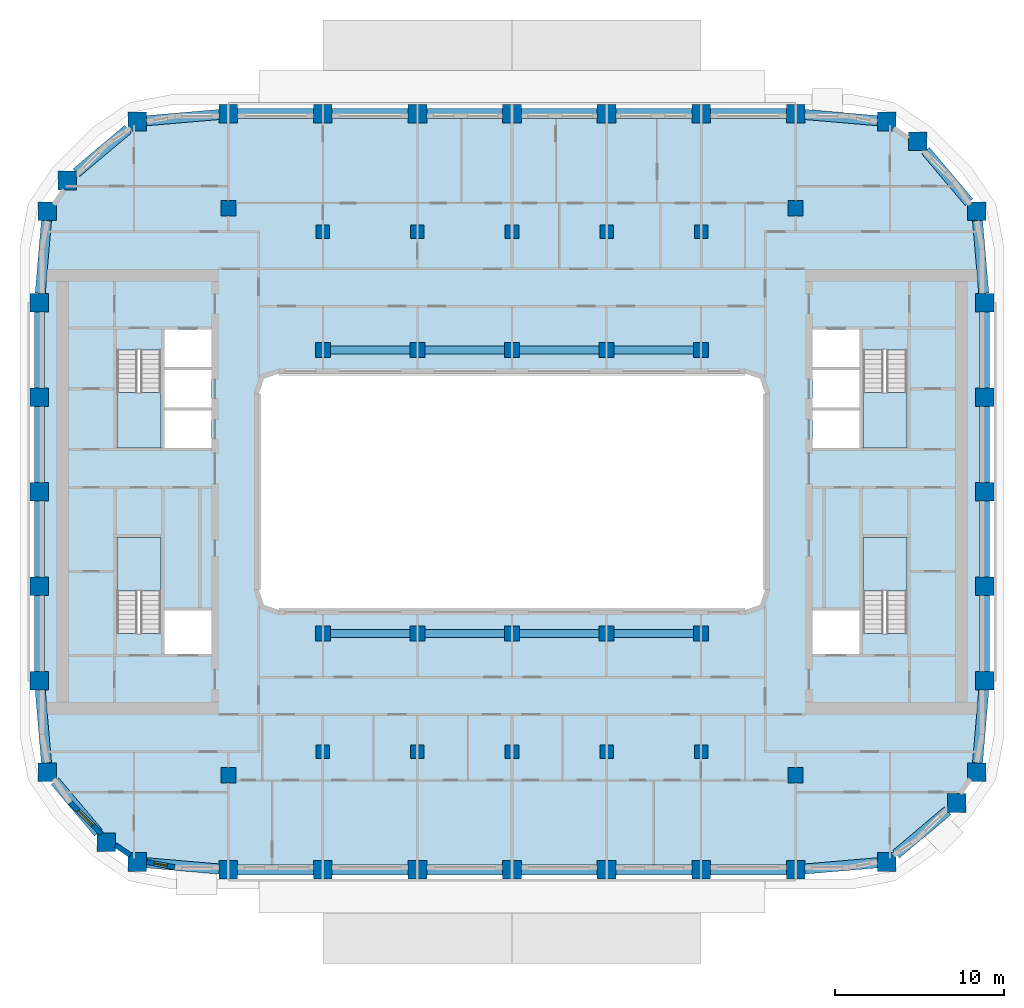
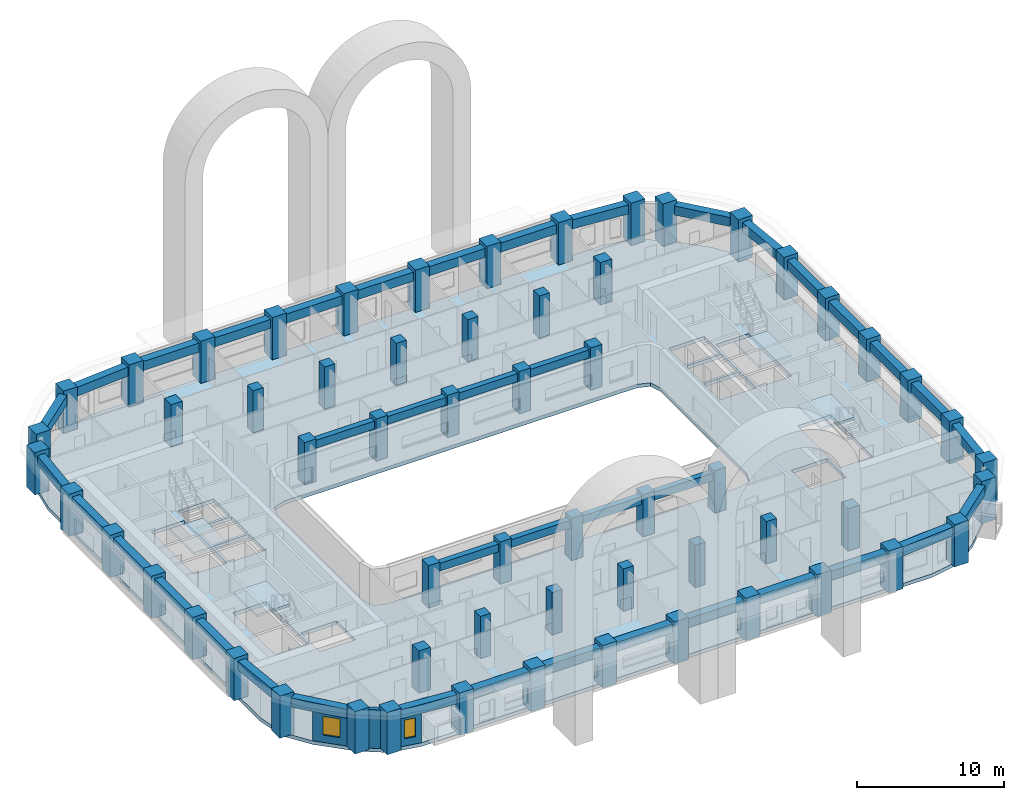
# One storey, part 1 of 18: 60 columns, 40 beams, 5 slabs, 3 walls, 2 windows, 2 openings, 4 elements without a shape of their own.
"""IFC4 building model written with IfcOpenShell, lengths in metres."""

from ifc_helpers import new_model, si_unit, direction, frame, frame_2d, origin, origin_2d, place, context, subcontext, project, spatial, polyline, rectangle, outline, extrude, material, layer, layer_set, material_profile, profile_set, type_object, element, fill, aggregate, save


model = new_model("IFC4")

# Units and contexts
model_context = context("Model", 3, precision=1e-05, world=origin(), true_north=direction((0.0, 1.0)))
body_context = subcontext(model_context, "Body", "Model", "MODEL_VIEW")
ifc_project = project(units=[si_unit("LENGTHUNIT", "METRE"), si_unit("AREAUNIT", "SQUARE_METRE"), si_unit("VOLUMEUNIT", "CUBIC_METRE"), si_unit("PLANEANGLEUNIT", "RADIAN"), si_unit("MASSUNIT", "GRAM", prefix="KILO")], contexts=[model_context])

# Site, building, storey
site_placement = place(None, origin())
site = spatial("IfcSite", under=ifc_project, at=site_placement, CompositionType="ELEMENT")
building_placement = place(site_placement, origin())
building = spatial("IfcBuilding", under=site, at=building_placement, Name="Kiln Ring Residences", CompositionType="ELEMENT")
storey_placement = place(building_placement, frame((0.0, 0.0, 157.10009765625)))
storey = spatial("IfcBuildingStorey", under=building, at=storey_placement, Name="L40", CompositionType="ELEMENT", Elevation=157.10009765625)

# Columns
ifc_material_1 = material(Name="Concrete C70/85", Category="concrete")
ifc_material_profile_1 = material_profile(ifc_material_1, rectangle(XDim=0.800048828125, YDim=0.800048828125, at=origin_2d()), Name="RC800x800")
ifc_profile_set_1 = profile_set([ifc_material_profile_1], Name="Concrete C70/85")
column_type_1 = type_object("IfcColumnType", Name="Corridor column RC800x800 C70/85", PredefinedType="COLUMN", material=ifc_profile_set_1)
for number, where, z_axis, x_axis, name in (
    (1, (-11.199951171875, 15.39990234375, 0.0), (0.0, 0.0, 1.0), (1.0, 0.0, 0.0), "Corridor column L40 1"),
    (2, (-5.60009765625, 15.39990234375, 0.0), (0.0, 0.0, 1.0), (1.0, 0.0, 0.0), "Corridor column L40 2"),
    (3, (0.0, 15.39990234375, 0.0), (0.0, 0.0, 1.0), (1.0, 0.0, 0.0), "Corridor column L40 3"),
    (4, (5.60009765625, 15.39990234375, 0.0), (0.0, 0.0, 1.0), (1.0, 0.0, 0.0), "Corridor column L40 4"),
    (5, (11.199951171875, 15.39990234375, 0.0), (0.0, 0.0, 1.0), (1.0, 0.0, 0.0), "Corridor column L40 5"),
    (6, (-11.199951171875, -15.39990234375, 0.0), (0.0, 0.0, 1.0), (1.0, 0.0, 0.0), "Corridor column L40 6"),
    (7, (-5.60009765625, -15.39990234375, 0.0), (0.0, 0.0, 1.0), (1.0, 0.0, 0.0), "Corridor column L40 7"),
    (8, (0.0, -15.39990234375, 0.0), (0.0, 0.0, 1.0), (1.0, 0.0, 0.0), "Corridor column L40 8"),
    (9, (5.60009765625, -15.39990234375, 0.0), (0.0, 0.0, 1.0), (1.0, 0.0, 0.0), "Corridor column L40 9"),
    (10, (11.199951171875, -15.39990234375, 0.0), (0.0, 0.0, 1.0), (1.0, 0.0, 0.0), "Corridor column L40 10"),
):
    element("IfcColumn", number, at=place(storey_placement, frame(where, z_axis=z_axis, x_axis=x_axis)), inside=storey, type_object=column_type_1, Name=name, PredefinedType="COLUMN", context=body_context, shape_type="SweptSolid", body=[
        extrude(rectangle(XDim=0.800048828125, YDim=0.800048828125, at=origin_2d()), origin(), (0.0, 0.0, 1.0), 3.5),
    ])
ifc_material_2 = material(Name="Concrete C70/85", Category="concrete")
ifc_material_profile_2 = material_profile(ifc_material_2, rectangle(XDim=1.10009765625, YDim=1.10009765625, at=origin_2d()), Name="RC1100x1100")
ifc_profile_set_2 = profile_set([ifc_material_profile_2], Name="Concrete C70/85")
column_type_2 = type_object("IfcColumnType", Name="Perimeter column RC1100x1100 C70/85", PredefinedType="COLUMN", material=ifc_profile_set_2)
for number, where, z_axis, x_axis, name in (
    (11, (-22.208740234375, -21.93798828125, 0.0), (0.0, 0.0, 1.0), (1.0, 0.0, 0.0), "Perimeter column L40 1"),
    (12, (-16.800048828125, -22.39990234375, 0.0), (0.0, 0.0, 1.0), (1.0, 0.0, 0.0), "Perimeter column L40 2"),
    (13, (-11.199951171875, -22.39990234375, 0.0), (0.0, 0.0, 1.0), (1.0, 0.0, 0.0), "Perimeter column L40 3"),
    (14, (-5.60009765625, -22.39990234375, 0.0), (0.0, 0.0, 1.0), (1.0, 0.0, 0.0), "Perimeter column L40 4"),
    (15, (0.0, -22.39990234375, 0.0), (0.0, 0.0, 1.0), (1.0, 0.0, 0.0), "Perimeter column L40 5"),
    (16, (5.60009765625, -22.39990234375, 0.0), (0.0, 0.0, 1.0), (1.0, 0.0, 0.0), "Perimeter column L40 6"),
    (17, (11.199951171875, -22.39990234375, 0.0), (0.0, 0.0, 1.0), (1.0, 0.0, 0.0), "Perimeter column L40 7"),
    (18, (16.800048828125, -22.39990234375, 0.0), (0.0, 0.0, 1.0), (1.0, 0.0, 0.0), "Perimeter column L40 8"),
    (19, (22.208740234375, -21.93798828125, 0.0), (0.0, 0.0, 1.0), (1.0, 0.0, 0.0), "Perimeter column L40 9"),
    (20, (26.35986328125, -18.440185546875, 0.0), (0.0, 0.0, 1.0), (1.0, 0.0, 0.0), "Perimeter column L40 10"),
    (21, (27.5380859375, -16.608642578125, 0.0), (0.0, 0.0, 1.0), (1.0, 0.0, 0.0), "Perimeter column L40 11"),
    (22, (28.0, -11.199951171875, 0.0), (0.0, 0.0, 1.0), (1.0, 0.0, 0.0), "Perimeter column L40 12"),
    (23, (28.0, -5.60009765625, 0.0), (0.0, 0.0, 1.0), (1.0, 0.0, 0.0), "Perimeter column L40 13"),
    (24, (28.0, 0.0, 0.0), (0.0, 0.0, 1.0), (1.0, 0.0, 0.0), "Perimeter column L40 14"),
    (25, (28.0, 5.60009765625, 0.0), (0.0, 0.0, 1.0), (1.0, 0.0, 0.0), "Perimeter column L40 15"),
    (26, (28.0, 11.199951171875, 0.0), (0.0, 0.0, 1.0), (1.0, 0.0, 0.0), "Perimeter column L40 16"),
    (27, (27.5380859375, 16.608642578125, 0.0), (0.0, 0.0, 1.0), (1.0, 0.0, 0.0), "Perimeter column L40 17"),
    (28, (24.040283203125, 20.759765625, 0.0), (0.0, 0.0, 1.0), (1.0, 0.0, 0.0), "Perimeter column L40 18"),
    (29, (22.208740234375, 21.93798828125, 0.0), (0.0, 0.0, 1.0), (1.0, 0.0, 0.0), "Perimeter column L40 19"),
    (30, (16.800048828125, 22.39990234375, 0.0), (0.0, 0.0, 1.0), (1.0, 0.0, 0.0), "Perimeter column L40 20"),
    (31, (11.199951171875, 22.39990234375, 0.0), (0.0, 0.0, 1.0), (1.0, 0.0, 0.0), "Perimeter column L40 21"),
    (32, (5.60009765625, 22.39990234375, 0.0), (0.0, 0.0, 1.0), (1.0, 0.0, 0.0), "Perimeter column L40 22"),
    (33, (0.0, 22.39990234375, 0.0), (0.0, 0.0, 1.0), (1.0, 0.0, 0.0), "Perimeter column L40 23"),
    (34, (-5.60009765625, 22.39990234375, 0.0), (0.0, 0.0, 1.0), (1.0, 0.0, 0.0), "Perimeter column L40 24"),
    (35, (-11.199951171875, 22.39990234375, 0.0), (0.0, 0.0, 1.0), (1.0, 0.0, 0.0), "Perimeter column L40 25"),
    (36, (-16.800048828125, 22.39990234375, 0.0), (0.0, 0.0, 1.0), (1.0, 0.0, 0.0), "Perimeter column L40 26"),
    (37, (-22.208740234375, 21.93798828125, 0.0), (0.0, 0.0, 1.0), (1.0, 0.0, 0.0), "Perimeter column L40 27"),
    (38, (-26.35986328125, 18.440185546875, 0.0), (0.0, 0.0, 1.0), (1.0, 0.0, 0.0), "Perimeter column L40 28"),
    (39, (-27.5380859375, 16.608642578125, 0.0), (0.0, 0.0, 1.0), (1.0, 0.0, 0.0), "Perimeter column L40 29"),
    (40, (-28.0, 11.199951171875, 0.0), (0.0, 0.0, 1.0), (1.0, 0.0, 0.0), "Perimeter column L40 30"),
    (41, (-28.0, 5.60009765625, 0.0), (0.0, 0.0, 1.0), (1.0, 0.0, 0.0), "Perimeter column L40 31"),
    (42, (-28.0, 0.0, 0.0), (0.0, 0.0, 1.0), (1.0, 0.0, 0.0), "Perimeter column L40 32"),
    (43, (-28.0, -5.60009765625, 0.0), (0.0, 0.0, 1.0), (1.0, 0.0, 0.0), "Perimeter column L40 33"),
    (44, (-28.0, -11.199951171875, 0.0), (0.0, 0.0, 1.0), (1.0, 0.0, 0.0), "Perimeter column L40 34"),
    (45, (-27.5380859375, -16.608642578125, 0.0), (0.0, 0.0, 1.0), (1.0, 0.0, 0.0), "Perimeter column L40 35"),
    (46, (-24.040283203125, -20.759765625, 0.0), (0.0, 0.0, 1.0), (1.0, 0.0, 0.0), "Perimeter column L40 36"),
):
    element("IfcColumn", number, at=place(storey_placement, frame(where, z_axis=z_axis, x_axis=x_axis)), inside=storey, type_object=column_type_2, Name=name, PredefinedType="COLUMN", context=body_context, shape_type="SweptSolid", body=[
        extrude(rectangle(XDim=1.10009765625, YDim=1.10009765625, at=origin_2d()), origin(), (0.0, 0.0, 1.0), 3.5),
    ])
ifc_material_3 = material(Name="Concrete C70/85", Category="concrete")
ifc_material_profile_3 = material_profile(ifc_material_3, rectangle(XDim=0.89990234375, YDim=0.89990234375, at=origin_2d()), Name="RC900x900")
ifc_profile_set_3 = profile_set([ifc_material_profile_3], Name="Concrete C70/85")
column_type_3 = type_object("IfcColumnType", Name="Ring column RC900x900 C70/85", PredefinedType="COLUMN", material=ifc_profile_set_3)
for number, where, z_axis, x_axis, name in (
    (47, (-16.800048828125, -16.800048828125, 0.0), (0.0, 0.0, 1.0), (1.0, 0.0, 0.0), "Ring column L40 1"),
    (48, (-16.800048828125, 16.800048828125, 0.0), (0.0, 0.0, 1.0), (1.0, 0.0, 0.0), "Ring column L40 2"),
    (49, (-11.199951171875, -8.39990234375, 0.0), (0.0, 0.0, 1.0), (1.0, 0.0, 0.0), "Ring column L40 3"),
    (50, (-11.199951171875, 8.39990234375, 0.0), (0.0, 0.0, 1.0), (1.0, 0.0, 0.0), "Ring column L40 4"),
    (51, (-5.60009765625, -8.39990234375, 0.0), (0.0, 0.0, 1.0), (1.0, 0.0, 0.0), "Ring column L40 5"),
    (52, (-5.60009765625, 8.39990234375, 0.0), (0.0, 0.0, 1.0), (1.0, 0.0, 0.0), "Ring column L40 6"),
    (53, (0.0, -8.39990234375, 0.0), (0.0, 0.0, 1.0), (1.0, 0.0, 0.0), "Ring column L40 7"),
    (54, (0.0, 8.39990234375, 0.0), (0.0, 0.0, 1.0), (1.0, 0.0, 0.0), "Ring column L40 8"),
    (55, (5.60009765625, -8.39990234375, 0.0), (0.0, 0.0, 1.0), (1.0, 0.0, 0.0), "Ring column L40 9"),
    (56, (5.60009765625, 8.39990234375, 0.0), (0.0, 0.0, 1.0), (1.0, 0.0, 0.0), "Ring column L40 10"),
    (57, (11.199951171875, -8.39990234375, 0.0), (0.0, 0.0, 1.0), (1.0, 0.0, 0.0), "Ring column L40 11"),
    (58, (11.199951171875, 8.39990234375, 0.0), (0.0, 0.0, 1.0), (1.0, 0.0, 0.0), "Ring column L40 12"),
    (59, (16.800048828125, -16.800048828125, 0.0), (0.0, 0.0, 1.0), (1.0, 0.0, 0.0), "Ring column L40 13"),
    (60, (16.800048828125, 16.800048828125, 0.0), (0.0, 0.0, 1.0), (1.0, 0.0, 0.0), "Ring column L40 14"),
):
    element("IfcColumn", number, at=place(storey_placement, frame(where, z_axis=z_axis, x_axis=x_axis)), inside=storey, type_object=column_type_3, Name=name, PredefinedType="COLUMN", context=body_context, shape_type="SweptSolid", body=[
        extrude(rectangle(XDim=0.89990234375, YDim=0.89990234375, at=origin_2d()), origin(), (0.0, 0.0, 1.0), 3.5),
    ])

# Beams
ifc_material_4 = material(Name="Concrete C50/60", Category="concrete")
ifc_material_profile_4 = material_profile(ifc_material_4, rectangle(XDim=0.449951171875, YDim=0.64990234375, at=origin_2d()), Name="RC450x650")
ifc_profile_set_4 = profile_set([ifc_material_profile_4], Name="Concrete C50/60")
beam_type_1 = type_object("IfcBeamType", Name="Ring beam RC450x650 C50/60", PredefinedType="BEAM", material=ifc_profile_set_4)
for number, where, z_axis, x_axis, name in (
    (61, (-10.75, -8.39990234375, 2.875), (1.0, 0.0, 0.0), (0.0, 1.0, 0.0), "Ring beam L40 1"),
    (62, (-5.14990234375, -8.39990234375, 2.875), (1.0, 0.0, 0.0), (0.0, 1.0, 0.0), "Ring beam L40 2"),
    (63, (0.449951171875, -8.39990234375, 2.875), (1.0, 0.0, 0.0), (0.0, 1.0, 0.0), "Ring beam L40 3"),
    (64, (6.050048828125, -8.39990234375, 2.875), (1.0, 0.0, 0.0), (0.0, 1.0, 0.0), "Ring beam L40 4"),
    (65, (-10.75, 8.39990234375, 2.875), (1.0, 0.0, 0.0), (0.0, 1.0, 0.0), "Ring beam L40 5"),
    (66, (-5.14990234375, 8.39990234375, 2.875), (1.0, 0.0, 0.0), (0.0, 1.0, 0.0), "Ring beam L40 6"),
    (67, (0.449951171875, 8.39990234375, 2.875), (1.0, 0.0, 0.0), (0.0, 1.0, 0.0), "Ring beam L40 7"),
    (68, (6.050048828125, 8.39990234375, 2.875), (1.0, 0.0, 0.0), (0.0, 1.0, 0.0), "Ring beam L40 8"),
):
    element("IfcBeam", number, at=place(storey_placement, frame(where, z_axis=z_axis, x_axis=x_axis)), inside=storey, type_object=beam_type_1, Name=name, PredefinedType="BEAM", context=body_context, shape_type="SweptSolid", body=[
        extrude(rectangle(XDim=0.449951171875, YDim=0.64990234375, at=origin_2d()), origin(), (0.0, 0.0, 1.0), 4.699951171875),
    ])
ifc_material_5 = material(Name="Concrete C50/60", Category="concrete")
ifc_material_profile_5 = material_profile(ifc_material_5, rectangle(XDim=0.60009765625, YDim=0.75, at=origin_2d()), Name="RC600x750")
ifc_profile_set_5 = profile_set([ifc_material_profile_5], Name="Concrete C50/60")
beam_type_2 = type_object("IfcBeamType", Name="Spandrel beam RC600x750 C50/60", PredefinedType="SPANDREL", material=ifc_profile_set_5)
beam_1_placement = place(storey_placement, frame((-21.65869140625, -21.985107421875, 2.824951171875), z_axis=(0.996373912127, -0.085082473117, 0.0), x_axis=(0.085082473117, 0.996373912127, 0.0)))
element("IfcBeam", 69, at=beam_1_placement, inside=storey, type_object=beam_type_2, Name="Spandrel beam L40 1", PredefinedType="SPANDREL", context=body_context, shape_type="SweptSolid", body=[
    extrude(rectangle(XDim=0.60009765625, YDim=0.75, at=origin_2d()), origin(), (0.0, 0.0, 1.0), 4.32421875),
])
for number, where, z_axis, x_axis, name in (
    (70, (-16.25, -22.39990234375, 2.824951171875), (1.0, 0.0, 0.0), (0.0, 1.0, 0.0), "Spandrel beam L40 2"),
    (71, (-10.64990234375, -22.39990234375, 2.824951171875), (1.0, 0.0, 0.0), (0.0, 1.0, 0.0), "Spandrel beam L40 3"),
    (72, (-5.050048828125, -22.39990234375, 2.824951171875), (1.0, 0.0, 0.0), (0.0, 1.0, 0.0), "Spandrel beam L40 4"),
    (73, (0.550048828125, -22.39990234375, 2.824951171875), (1.0, 0.0, 0.0), (0.0, 1.0, 0.0), "Spandrel beam L40 5"),
    (74, (6.14990234375, -22.39990234375, 2.824951171875), (1.0, 0.0, 0.0), (0.0, 1.0, 0.0), "Spandrel beam L40 6"),
    (75, (11.75, -22.39990234375, 2.824951171875), (1.0, 0.0, 0.0), (0.0, 1.0, 0.0), "Spandrel beam L40 7"),
):
    element("IfcBeam", number, at=place(storey_placement, frame(where, z_axis=z_axis, x_axis=x_axis)), inside=storey, type_object=beam_type_2, Name=name, PredefinedType="SPANDREL", context=body_context, shape_type="SweptSolid", body=[
        extrude(rectangle(XDim=0.60009765625, YDim=0.75, at=origin_2d()), origin(), (0.0, 0.0, 1.0), 4.5),
    ])
beam_2_placement = place(storey_placement, frame((17.35009765625, -22.35302734375, 2.824951171875), z_axis=(0.996373912127, 0.085082473117, 0.0), x_axis=(-0.085082473117, 0.996373912127, 0.0)))
element("IfcBeam", 76, at=beam_2_placement, inside=storey, type_object=beam_type_2, Name="Spandrel beam L40 8", PredefinedType="SPANDREL", context=body_context, shape_type="SweptSolid", body=[
    extrude(rectangle(XDim=0.60009765625, YDim=0.75, at=origin_2d()), origin(), (0.0, 0.0, 1.0), 4.32421875),
])
beam_3_placement = place(storey_placement, frame((22.7587890625, -21.474609375, 2.824951171875), z_axis=(0.764693765756, 0.6443938583, 0.0), x_axis=(-0.6443938583, 0.764693765756, 0.0)))
element("IfcBeam", 77, at=beam_3_placement, inside=storey, type_object=beam_type_2, Name="Spandrel beam L40 9", PredefinedType="SPANDREL", context=body_context, shape_type="SweptSolid", body=[
    extrude(rectangle(XDim=0.60009765625, YDim=0.75, at=origin_2d()), origin(), (0.0, 0.0, 1.0), 3.98974609375),
])
beam_4_placement = place(storey_placement, frame((27.5849609375, -16.05859375, 2.824951171875), z_axis=(0.085138522188, 0.996369124391, 0.0), x_axis=(-0.996369124391, 0.085138522188, 0.0)))
element("IfcBeam", 78, at=beam_4_placement, inside=storey, type_object=beam_type_2, Name="Spandrel beam L40 10", PredefinedType="SPANDREL", context=body_context, shape_type="SweptSolid", body=[
    extrude(rectangle(XDim=0.60009765625, YDim=0.75, at=origin_2d()), origin(), (0.0, 0.0, 1.0), 4.32421875),
])
for number, where, z_axis, x_axis, name in (
    (79, (28.0, -10.64990234375, 2.824951171875), (0.0, 1.0, 0.0), (-1.0, 0.0, 0.0), "Spandrel beam L40 11"),
    (80, (28.0, -5.050048828125, 2.824951171875), (0.0, 1.0, 0.0), (-1.0, 0.0, 0.0), "Spandrel beam L40 12"),
    (81, (28.0, 0.550048828125, 2.824951171875), (0.0, 1.0, 0.0), (-1.0, 0.0, 0.0), "Spandrel beam L40 13"),
    (82, (28.0, 6.14990234375, 2.824951171875), (0.0, 1.0, 0.0), (-1.0, 0.0, 0.0), "Spandrel beam L40 14"),
):
    element("IfcBeam", number, at=place(storey_placement, frame(where, z_axis=z_axis, x_axis=x_axis)), inside=storey, type_object=beam_type_2, Name=name, PredefinedType="SPANDREL", context=body_context, shape_type="SweptSolid", body=[
        extrude(rectangle(XDim=0.60009765625, YDim=0.75, at=origin_2d()), origin(), (0.0, 0.0, 1.0), 4.5),
    ])
beam_5_placement = place(storey_placement, frame((27.953125, 11.75, 2.824951171875), z_axis=(-0.085138522188, 0.996369124391, 0.0), x_axis=(-0.996369124391, -0.085138522188, 0.0)))
element("IfcBeam", 83, at=beam_5_placement, inside=storey, type_object=beam_type_2, Name="Spandrel beam L40 15", PredefinedType="SPANDREL", context=body_context, shape_type="SweptSolid", body=[
    extrude(rectangle(XDim=0.60009765625, YDim=0.75, at=origin_2d()), origin(), (0.0, 0.0, 1.0), 4.32421875),
])
beam_6_placement = place(storey_placement, frame((27.07470703125, 17.15869140625, 2.824951171875), z_axis=(-0.6443938583, 0.764693765756, 0.0), x_axis=(-0.764693765756, -0.6443938583, 0.0)))
element("IfcBeam", 84, at=beam_6_placement, inside=storey, type_object=beam_type_2, Name="Spandrel beam L40 16", PredefinedType="SPANDREL", context=body_context, shape_type="SweptSolid", body=[
    extrude(rectangle(XDim=0.60009765625, YDim=0.75, at=origin_2d()), origin(), (0.0, 0.0, 1.0), 3.98974609375),
])
beam_7_placement = place(storey_placement, frame((21.65869140625, 21.985107421875, 2.824951171875), z_axis=(-0.996373912127, 0.085082473117, 0.0), x_axis=(-0.085082473117, -0.996373912127, 0.0)))
element("IfcBeam", 85, at=beam_7_placement, inside=storey, type_object=beam_type_2, Name="Spandrel beam L40 17", PredefinedType="SPANDREL", context=body_context, shape_type="SweptSolid", body=[
    extrude(rectangle(XDim=0.60009765625, YDim=0.75, at=origin_2d()), origin(), (0.0, 0.0, 1.0), 4.32421875),
])
for number, where, z_axis, x_axis, name in (
    (86, (16.25, 22.39990234375, 2.824951171875), (-1.0, 0.0, 0.0), (0.0, -1.0, 0.0), "Spandrel beam L40 18"),
    (87, (10.64990234375, 22.39990234375, 2.824951171875), (-1.0, 0.0, 0.0), (0.0, -1.0, 0.0), "Spandrel beam L40 19"),
    (88, (5.050048828125, 22.39990234375, 2.824951171875), (-1.0, 0.0, 0.0), (0.0, -1.0, 0.0), "Spandrel beam L40 20"),
    (89, (-0.550048828125, 22.39990234375, 2.824951171875), (-1.0, 0.0, 0.0), (0.0, -1.0, 0.0), "Spandrel beam L40 21"),
    (90, (-6.14990234375, 22.39990234375, 2.824951171875), (-1.0, 0.0, 0.0), (0.0, -1.0, 0.0), "Spandrel beam L40 22"),
    (91, (-11.75, 22.39990234375, 2.824951171875), (-1.0, 0.0, 0.0), (0.0, -1.0, 0.0), "Spandrel beam L40 23"),
):
    element("IfcBeam", number, at=place(storey_placement, frame(where, z_axis=z_axis, x_axis=x_axis)), inside=storey, type_object=beam_type_2, Name=name, PredefinedType="SPANDREL", context=body_context, shape_type="SweptSolid", body=[
        extrude(rectangle(XDim=0.60009765625, YDim=0.75, at=origin_2d()), origin(), (0.0, 0.0, 1.0), 4.5),
    ])
beam_8_placement = place(storey_placement, frame((-17.35009765625, 22.35302734375, 2.824951171875), z_axis=(-0.996373912127, -0.085082473117, 0.0), x_axis=(0.085082473117, -0.996373912127, 0.0)))
element("IfcBeam", 92, at=beam_8_placement, inside=storey, type_object=beam_type_2, Name="Spandrel beam L40 24", PredefinedType="SPANDREL", context=body_context, shape_type="SweptSolid", body=[
    extrude(rectangle(XDim=0.60009765625, YDim=0.75, at=origin_2d()), origin(), (0.0, 0.0, 1.0), 4.32421875),
])
beam_9_placement = place(storey_placement, frame((-22.7587890625, 21.474609375, 2.824951171875), z_axis=(-0.764693765756, -0.6443938583, 0.0), x_axis=(0.6443938583, -0.764693765756, 0.0)))
element("IfcBeam", 93, at=beam_9_placement, inside=storey, type_object=beam_type_2, Name="Spandrel beam L40 25", PredefinedType="SPANDREL", context=body_context, shape_type="SweptSolid", body=[
    extrude(rectangle(XDim=0.60009765625, YDim=0.75, at=origin_2d()), origin(), (0.0, 0.0, 1.0), 3.98974609375),
])
beam_10_placement = place(storey_placement, frame((-27.5849609375, 16.05859375, 2.824951171875), z_axis=(-0.085138522188, -0.996369124391, 0.0), x_axis=(0.996369124391, -0.085138522188, 0.0)))
element("IfcBeam", 94, at=beam_10_placement, inside=storey, type_object=beam_type_2, Name="Spandrel beam L40 26", PredefinedType="SPANDREL", context=body_context, shape_type="SweptSolid", body=[
    extrude(rectangle(XDim=0.60009765625, YDim=0.75, at=origin_2d()), origin(), (0.0, 0.0, 1.0), 4.32421875),
])
for number, where, z_axis, x_axis, name in (
    (95, (-28.0, 10.64990234375, 2.824951171875), (0.0, -1.0, 0.0), (1.0, 0.0, 0.0), "Spandrel beam L40 27"),
    (96, (-28.0, 5.050048828125, 2.824951171875), (0.0, -1.0, 0.0), (1.0, 0.0, 0.0), "Spandrel beam L40 28"),
    (97, (-28.0, -0.550048828125, 2.824951171875), (0.0, -1.0, 0.0), (1.0, 0.0, 0.0), "Spandrel beam L40 29"),
    (98, (-28.0, -6.14990234375, 2.824951171875), (0.0, -1.0, 0.0), (1.0, 0.0, 0.0), "Spandrel beam L40 30"),
):
    element("IfcBeam", number, at=place(storey_placement, frame(where, z_axis=z_axis, x_axis=x_axis)), inside=storey, type_object=beam_type_2, Name=name, PredefinedType="SPANDREL", context=body_context, shape_type="SweptSolid", body=[
        extrude(rectangle(XDim=0.60009765625, YDim=0.75, at=origin_2d()), origin(), (0.0, 0.0, 1.0), 4.5),
    ])
beam_11_placement = place(storey_placement, frame((-27.953125, -11.75, 2.824951171875), z_axis=(0.085138522188, -0.996369124391, 0.0), x_axis=(0.996369124391, 0.085138522188, 0.0)))
element("IfcBeam", 99, at=beam_11_placement, inside=storey, type_object=beam_type_2, Name="Spandrel beam L40 31", PredefinedType="SPANDREL", context=body_context, shape_type="SweptSolid", body=[
    extrude(rectangle(XDim=0.60009765625, YDim=0.75, at=origin_2d()), origin(), (0.0, 0.0, 1.0), 4.32421875),
])
beam_12_placement = place(storey_placement, frame((-27.07470703125, -17.15869140625, 2.824951171875), z_axis=(0.6443938583, -0.764693765756, 0.0), x_axis=(0.764693765756, 0.6443938583, 0.0)))
element("IfcBeam", 100, at=beam_12_placement, inside=storey, type_object=beam_type_2, Name="Spandrel beam L40 32", PredefinedType="SPANDREL", context=body_context, shape_type="SweptSolid", body=[
    extrude(rectangle(XDim=0.60009765625, YDim=0.75, at=origin_2d()), origin(), (0.0, 0.0, 1.0), 3.98974609375),
])

# Stair, slab
ifc_material_6 = material(Name="Concrete C40/50", Category="concrete")
stair_type = type_object("IfcStairType", Name="CORE-STAIR", PredefinedType="HALF_TURN_STAIR", material=ifc_material_6)
placement_1 = place(storey_placement, origin())
stair_1 = element("IfcStair", 101, at=placement_1, inside=storey, type_object=stair_type, Name="L40 stair W-STN", PredefinedType="HALF_TURN_STAIR")
ifc_material_7 = material(Name="Concrete C40/50", Category="concrete")
ifc_layer_1 = layer(ifc_material_7, 0.199951171875)
ifc_layer_set_1 = layer_set([ifc_layer_1], Name="CORE-STAIR-LANDING")
slab_type_1 = type_object("IfcSlabType", Name="CORE-STAIR-LANDING", PredefinedType="LANDING", material=ifc_layer_set_1)
placement_2 = place(storey_placement, frame((0.0, 0.0, 1.5498046875)))
slab_1 = element("IfcSlab", 102, at=placement_2, type_object=slab_type_1, Name="W-STN landing 1", PredefinedType="LANDING", context=body_context, shape_type="SweptSolid", body=[
    extrude(outline(polyline([(-23.39990234375, 5.8798828125), (-23.39990234375, 2.60009765625), (-20.800048828125, 2.60009765625), (-20.800048828125, 5.8798828125), (-23.39990234375, 5.8798828125)])), origin(), (0.0, 0.0, 1.0), 0.2001953125),
])
aggregate(stair_1, [slab_1])

stair_2 = element("IfcStair", 103, at=placement_1, inside=storey, type_object=stair_type, Name="L40 stair W-STS", PredefinedType="HALF_TURN_STAIR")
slab_2 = element("IfcSlab", 104, at=placement_2, type_object=slab_type_1, Name="W-STS landing 1", PredefinedType="LANDING", context=body_context, shape_type="SweptSolid", body=[
    extrude(outline(polyline([(-20.800048828125, -5.8798828125), (-20.800048828125, -2.699951171875), (-23.39990234375, -2.699951171875), (-23.39990234375, -5.8798828125), (-20.800048828125, -5.8798828125)])), origin(), (0.0, 0.0, 1.0), 0.2001953125),
])
aggregate(stair_2, [slab_2])

stair_3 = element("IfcStair", 105, at=placement_1, inside=storey, type_object=stair_type, Name="L40 stair E-STN", PredefinedType="HALF_TURN_STAIR")
slab_3 = element("IfcSlab", 106, at=placement_2, type_object=slab_type_1, Name="E-STN landing 1", PredefinedType="LANDING", context=body_context, shape_type="SweptSolid", body=[
    extrude(outline(polyline([(20.800048828125, 5.8798828125), (20.800048828125, 2.60009765625), (23.39990234375, 2.60009765625), (23.39990234375, 5.8798828125), (20.800048828125, 5.8798828125)])), origin(), (0.0, 0.0, 1.0), 0.2001953125),
])
aggregate(stair_3, [slab_3])

stair_4 = element("IfcStair", 107, at=placement_1, inside=storey, type_object=stair_type, Name="L40 stair E-STS", PredefinedType="HALF_TURN_STAIR")
slab_4 = element("IfcSlab", 108, at=placement_2, type_object=slab_type_1, Name="E-STS landing 1", PredefinedType="LANDING", context=body_context, shape_type="SweptSolid", body=[
    extrude(outline(polyline([(23.39990234375, -5.8798828125), (23.39990234375, -2.699951171875), (20.800048828125, -2.699951171875), (20.800048828125, -5.8798828125), (23.39990234375, -5.8798828125)])), origin(), (0.0, 0.0, 1.0), 0.2001953125),
])
aggregate(stair_4, [slab_4])

# Slab
ifc_material_8 = material(Name="Concrete C40/50", Category="concrete")
ifc_layer_2 = layer(ifc_material_8, 0.300048828125)
ifc_layer_set_2 = layer_set([ifc_layer_2], Name="Floor slab 300")
slab_type_2 = type_object("IfcSlabType", Name="Floor slab 300", PredefinedType="FLOOR", material=ifc_layer_set_2)
slab_5_placement = place(storey_placement, frame((0.0, 0.0, -0.300048828125)))
element("IfcSlab", 109, at=slab_5_placement, inside=storey, type_object=slab_type_2, Name="Floor slab L40 1", PredefinedType="FLOOR", context=body_context, shape_type="SweptSolid", body=[
    extrude(outline(polyline([(-26.302978515625, -18.4970703125), (-24.09716796875, -20.702880859375), (-22.224365234375, -21.975830078125), (-20.0, -22.39990234375), (20.0, -22.39990234375), (22.224365234375, -21.975830078125), (24.09716796875, -20.702880859375), (26.302978515625, -18.4970703125), (27.57568359375, -16.624267578125), (28.0, -14.39990234375), (28.0, 14.39990234375), (27.57568359375, 16.624267578125), (26.302978515625, 18.4970703125), (24.09716796875, 20.702880859375), (22.224365234375, 21.975830078125), (20.0, 22.39990234375), (-20.0, 22.39990234375), (-22.224365234375, 21.975830078125), (-24.09716796875, 20.702880859375), (-26.302978515625, 18.4970703125), (-27.57568359375, 16.624267578125), (-28.0, 14.39990234375), (-28.0, -14.39990234375), (-27.57568359375, -16.624267578125), (-26.302978515625, -18.4970703125)]), holes=[polyline([(-14.699951171875, -6.699951171875), (-15.0, -5.800048828125), (-15.0, 5.800048828125), (-14.699951171875, 6.699951171875), (-13.800048828125, 7.0), (13.800048828125, 7.0), (14.699951171875, 6.699951171875), (15.0, 5.800048828125), (15.0, -5.800048828125), (14.699951171875, -6.699951171875), (13.800048828125, -7.0), (-13.800048828125, -7.0), (-14.699951171875, -6.699951171875)]), polyline([(20.800048828125, -8.39794921875), (20.800048828125, -2.699951171875), (23.39990234375, -2.699951171875), (23.39990234375, -8.39794921875), (20.800048828125, -8.39794921875)]), polyline([(23.39990234375, 2.60009765625), (20.800048828125, 2.60009765625), (20.800048828125, 8.39794921875), (23.39990234375, 8.39794921875), (23.39990234375, 2.60009765625)]), polyline([(17.800048828125, 2.60009765625), (17.800048828125, 4.800048828125), (20.60009765625, 4.800048828125), (20.60009765625, 2.60009765625), (17.800048828125, 2.60009765625)]), polyline([(17.800048828125, 5.0), (17.800048828125, 7.199951171875), (20.60009765625, 7.199951171875), (20.60009765625, 5.0), (17.800048828125, 5.0)]), polyline([(17.800048828125, 7.39990234375), (17.800048828125, 9.60009765625), (20.60009765625, 9.60009765625), (20.60009765625, 7.39990234375), (17.800048828125, 7.39990234375)]), polyline([(20.60009765625, -9.60009765625), (17.800048828125, -9.60009765625), (17.800048828125, -7.050048828125), (20.60009765625, -7.050048828125), (20.60009765625, -9.60009765625)]), polyline([(-17.800048828125, -7.050048828125), (-17.800048828125, -9.60009765625), (-20.60009765625, -9.60009765625), (-20.60009765625, -7.050048828125), (-17.800048828125, -7.050048828125)]), polyline([(-17.800048828125, 2.60009765625), (-20.60009765625, 2.60009765625), (-20.60009765625, 4.800048828125), (-17.800048828125, 4.800048828125), (-17.800048828125, 2.60009765625)]), polyline([(-17.800048828125, 5.0), (-20.60009765625, 5.0), (-20.60009765625, 7.199951171875), (-17.800048828125, 7.199951171875), (-17.800048828125, 5.0)]), polyline([(-17.800048828125, 7.39990234375), (-20.60009765625, 7.39990234375), (-20.60009765625, 9.60009765625), (-17.800048828125, 9.60009765625), (-17.800048828125, 7.39990234375)]), polyline([(-20.800048828125, -8.39794921875), (-23.39990234375, -8.39794921875), (-23.39990234375, -2.699951171875), (-20.800048828125, -2.699951171875), (-20.800048828125, -8.39794921875)]), polyline([(-20.800048828125, 8.39794921875), (-20.800048828125, 2.60009765625), (-23.39990234375, 2.60009765625), (-23.39990234375, 8.39794921875), (-20.800048828125, 8.39794921875)])]), origin(), (0.0, 0.0, 1.0), 0.300048828125),
])

# Wall, opening, window
ifc_material_9 = material(Name="Brick masonry, dark clay brick", Category="masonry")
ifc_layer_3 = layer(ifc_material_9, 0.300048828125)
ifc_layer_set_3 = layer_set([ifc_layer_3], Name="EW-300 BRICK WALL")
wall_type = type_object("IfcWallType", Name="EW-300 BRICK WALL", PredefinedType="SOLIDWALL", material=ifc_layer_set_3)
wall_1_placement = place(storey_placement, frame((-26.19677734375, -18.390869140625, 0.0), z_axis=(0.0, 0.0, 1.0), x_axis=(0.707060717099, -0.707152842274, 0.0)))
wall_1 = element("IfcWall", 110, at=wall_1_placement, inside=storey, type_object=wall_type, Name="Facade wall L40 1", PredefinedType="SOLIDWALL", context=body_context, shape_type="SweptSolid", body=[
    extrude(rectangle(XDim=2.650146484375, YDim=0.300048828125, at=frame_2d((1.3251953125, 0.0))), origin(), (0.0, 0.0, 1.0), 2.449951171875),
])
opening_1_placement = place(wall_1_placement, frame((0.72509765625, 0.0, 0.60009765625)))
opening_1 = element("IfcOpeningElement", 111, at=opening_1_placement, cuts=wall_1, Name="Opening W1", PredefinedType="OPENING", context=body_context, shape_type="SweptSolid", body=[
    extrude(rectangle(XDim=1.199951171875, YDim=1.550048828125, at=frame_2d((0.60009765625, 0.77490234375))), frame((0.0, 0.159912109375, 0.0), z_axis=(0.0, -1.0, 0.0), x_axis=(1.0, 0.0, 0.0)), (0.0, 0.0, 1.0), 0.320068359375),
])
ifc_material_10 = material(Name="Aluminium frame with double glazing", Category="aluminium")
window_type_1 = type_object("IfcWindowType", Name="WINDOW 1200 x 1550", PartitioningType="SINGLE_PANEL", PredefinedType="WINDOW", material=ifc_material_10)
window_1_placement = place(opening_1_placement, origin())
window_1 = element("IfcWindow", 112, at=window_1_placement, inside=storey, type_object=window_type_1, Name="Window L40 1", OverallHeight=1.550048828125, OverallWidth=1.199951171875, PartitioningType="SINGLE_PANEL", PredefinedType="WINDOW", context=body_context, shape_type="SweptSolid", body=[
    extrude(rectangle(XDim=1.199951171875, YDim=1.550048828125, at=frame_2d((0.60009765625, 0.77490234375))), frame((0.0, 0.030029296875, 0.0), z_axis=(0.0, -1.0, 0.0), x_axis=(1.0, 0.0, 0.0)), (0.0, 0.0, 1.0), 0.06005859375),
])
fill(opening_1, window_1)

# Wall
wall_2_placement = place(storey_placement, frame((-23.492431640625, -20.932373046875, 0.0), z_axis=(0.0, 0.0, 1.0), x_axis=(0.826993959827, -0.562210806023, 0.0)))
element("IfcWall", 113, at=wall_2_placement, inside=storey, type_object=wall_type, Name="Facade wall L40 2", PredefinedType="SOLIDWALL", context=body_context, shape_type="SweptSolid", body=[
    extrude(rectangle(XDim=1.076904296875, YDim=0.300048828125, at=frame_2d((0.53857421875, 0.0))), origin(), (0.0, 0.0, 1.0), 3.199951171875),
])

# Wall, opening, window
wall_3_placement = place(storey_placement, frame((-21.647705078125, -21.93310546875, 0.0), z_axis=(0.0, 0.0, 1.0), x_axis=(0.982297206936, -0.187329114784, 0.0)))
wall_3 = element("IfcWall", 114, at=wall_3_placement, inside=storey, type_object=wall_type, Name="Facade wall L40 3", PredefinedType="SOLIDWALL", context=body_context, shape_type="SweptSolid", body=[
    extrude(rectangle(XDim=1.7060546875, YDim=0.300048828125, at=frame_2d((0.85302734375, 0.0))), origin(), (0.0, 0.0, 1.0), 2.449951171875),
])
opening_2_placement = place(wall_3_placement, frame((0.453125, 0.0, 0.60009765625)))
opening_2 = element("IfcOpeningElement", 115, at=opening_2_placement, cuts=wall_3, Name="Opening W5", PredefinedType="OPENING", context=body_context, shape_type="SweptSolid", body=[
    extrude(rectangle(XDim=0.800048828125, YDim=1.550048828125, at=frame_2d((0.39990234375, 0.77490234375))), frame((0.0, 0.159912109375, 0.0), z_axis=(0.0, -1.0, 0.0), x_axis=(1.0, 0.0, 0.0)), (0.0, 0.0, 1.0), 0.320068359375),
])
ifc_material_11 = material(Name="Aluminium frame with double glazing", Category="aluminium")
window_type_2 = type_object("IfcWindowType", Name="WINDOW 800 x 1550", PartitioningType="SINGLE_PANEL", PredefinedType="WINDOW", material=ifc_material_11)
window_2_placement = place(opening_2_placement, origin())
window_2 = element("IfcWindow", 116, at=window_2_placement, inside=storey, type_object=window_type_2, Name="Window L40 2", OverallHeight=1.550048828125, OverallWidth=0.800048828125, PartitioningType="SINGLE_PANEL", PredefinedType="WINDOW", context=body_context, shape_type="SweptSolid", body=[
    extrude(rectangle(XDim=0.800048828125, YDim=1.550048828125, at=frame_2d((0.39990234375, 0.77490234375))), frame((0.0, 0.030029296875, 0.0), z_axis=(0.0, -1.0, 0.0), x_axis=(1.0, 0.0, 0.0)), (0.0, 0.0, 1.0), 0.06005859375),
])
fill(opening_2, window_2)

save(model, "model.ifc")
